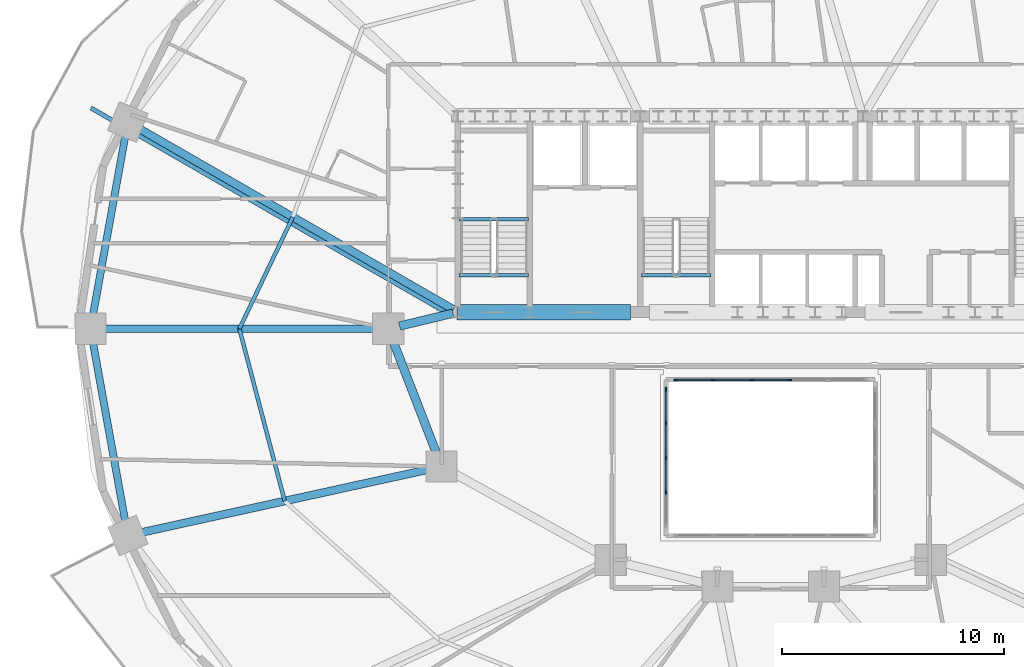
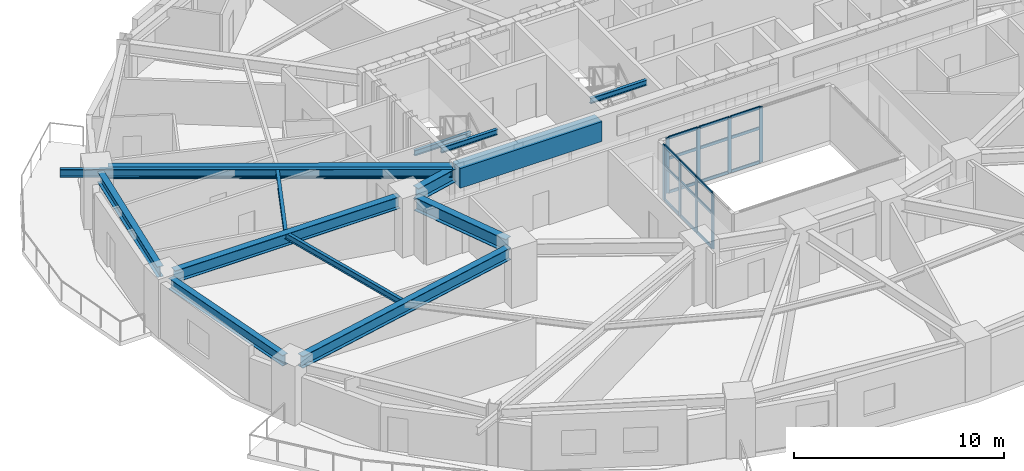
# One storey, part 4 of 17: 26 members, 14 beams, 2 elements without a shape of their own.
"""IFC4 building model written with IfcOpenShell, lengths in metres."""

from ifc_helpers import new_model, si_unit, direction, frame, origin, origin_2d, place, context, subcontext, project, spatial, rectangle, i_section, extrude, material, material_profile, profile_set, type_object, element, aggregate, save


model = new_model("IFC4")

# Units and contexts
model_context = context("Model", 3, precision=1e-05, world=origin(), true_north=direction((0.0, 1.0)))
body_context = subcontext(model_context, "Body", "Model", "MODEL_VIEW")
ifc_project = project(units=[si_unit("LENGTHUNIT", "METRE"), si_unit("AREAUNIT", "SQUARE_METRE"), si_unit("VOLUMEUNIT", "CUBIC_METRE"), si_unit("PLANEANGLEUNIT", "RADIAN"), si_unit("MASSUNIT", "GRAM", prefix="KILO")], contexts=[model_context])

# Site, building, storey
site_placement = place(None, origin())
site = spatial("IfcSite", under=ifc_project, at=site_placement, CompositionType="ELEMENT")
building_placement = place(site_placement, origin())
building = spatial("IfcBuilding", under=site, at=building_placement, Name="Haldorwick Loom Tower", CompositionType="ELEMENT")
storey_placement = place(building_placement, frame((0.0, 0.0, 27.449951171875)))
storey = spatial("IfcBuildingStorey", under=building, at=storey_placement, Name="L06", CompositionType="ELEMENT", Elevation=27.449951171875)

# Curtain wall, members
ifc_material_1 = material(Name="Thermally Broken Anodized Aluminium Curtain Wall Framing", Category="aluminium")
curtain_wall_type = type_object("IfcCurtainWallType", Name="ARC-CW-03", PredefinedType="NOTDEFINED", material=ifc_material_1)
curtain_wall_1_placement = place(storey_placement, origin())
curtain_wall_1 = element("IfcCurtainWall", 1, at=curtain_wall_1_placement, inside=storey, type_object=curtain_wall_type, Name="L06 Atrium Glazed Screen N", PredefinedType="NOTDEFINED")
ifc_material_profile_1 = material_profile(ifc_material_1, rectangle(XDim=0.06591796875, YDim=0.18505859375, at=origin_2d()), Name="ALU_MUL_66X185", Category="aluminium")
ifc_profile_set_1 = profile_set([ifc_material_profile_1], Name="Thermally Broken Anodized Aluminium Curtain Wall Framing")
member_type_1 = type_object("IfcMemberType", Name="ARC-CWM-03", PredefinedType="MULLION", material=ifc_profile_set_1)
member_1_placement = place(storey_placement, frame((31.73291015625, 23.699951171875, 0.0), z_axis=(0.0, 0.0, 1.0), x_axis=(0.0, 1.0, 0.0)))
member_1 = element("IfcMember", 2, at=member_1_placement, type_object=member_type_1, Name="CW-03 mullion 1", PredefinedType="MULLION", context=body_context, shape_type="SweptSolid", body=[
    extrude(rectangle(XDim=0.06591796875, YDim=0.18505859375, at=origin_2d()), origin(), (0.0, 0.0, 1.0), 3.2099609375),
])
member_2_placement = place(storey_placement, frame((33.419921875, 23.699951171875, 0.0), z_axis=(0.0, 0.0, 1.0), x_axis=(0.0, 1.0, 0.0)))
member_2 = element("IfcMember", 3, at=member_2_placement, type_object=member_type_1, Name="CW-03 mullion 2", PredefinedType="MULLION", context=body_context, shape_type="SweptSolid", body=[
    extrude(rectangle(XDim=0.06591796875, YDim=0.18505859375, at=origin_2d()), origin(), (0.0, 0.0, 1.0), 3.2099609375),
])
member_3_placement = place(storey_placement, frame((35.139892578125, 23.699951171875, 0.0), z_axis=(0.0, 0.0, 1.0), x_axis=(0.0, 1.0, 0.0)))
member_3 = element("IfcMember", 4, at=member_3_placement, type_object=member_type_1, Name="CW-03 mullion 3", PredefinedType="MULLION", context=body_context, shape_type="SweptSolid", body=[
    extrude(rectangle(XDim=0.06591796875, YDim=0.18505859375, at=origin_2d()), origin(), (0.0, 0.0, 1.0), 3.2099609375),
])
member_4_placement = place(storey_placement, frame((36.860107421875, 23.699951171875, 0.0), z_axis=(0.0, 0.0, 1.0), x_axis=(0.0, 1.0, 0.0)))
member_4 = element("IfcMember", 5, at=member_4_placement, type_object=member_type_1, Name="CW-03 mullion 4", PredefinedType="MULLION", context=body_context, shape_type="SweptSolid", body=[
    extrude(rectangle(XDim=0.06591796875, YDim=0.18505859375, at=origin_2d()), origin(), (0.0, 0.0, 1.0), 3.2099609375),
])

curtain_wall_2_placement = place(storey_placement, origin())
curtain_wall_2 = element("IfcCurtainWall", 6, at=curtain_wall_2_placement, inside=storey, type_object=curtain_wall_type, Name="L06 Atrium Glazed Screen W", PredefinedType="NOTDEFINED")
member_5_placement = place(storey_placement, frame((31.300048828125, 18.64990234375, 0.0), z_axis=(0.0, 0.0, 1.0), x_axis=(-1.0, 0.0, 0.0)))
member_5 = element("IfcMember", 7, at=member_5_placement, type_object=member_type_1, Name="CW-03 mullion 2", PredefinedType="MULLION", context=body_context, shape_type="SweptSolid", body=[
    extrude(rectangle(XDim=0.06591796875, YDim=0.18505859375, at=origin_2d()), origin(), (0.0, 0.0, 1.0), 3.2099609375),
])
member_6_placement = place(storey_placement, frame((31.300048828125, 20.199951171875, 0.0), z_axis=(0.0, 0.0, 1.0), x_axis=(-1.0, 0.0, 0.0)))
member_6 = element("IfcMember", 8, at=member_6_placement, type_object=member_type_1, Name="CW-03 mullion 3", PredefinedType="MULLION", context=body_context, shape_type="SweptSolid", body=[
    extrude(rectangle(XDim=0.06591796875, YDim=0.18505859375, at=origin_2d()), origin(), (0.0, 0.0, 1.0), 3.2099609375),
])
member_7_placement = place(storey_placement, frame((31.300048828125, 21.75, 0.0), z_axis=(0.0, 0.0, 1.0), x_axis=(-1.0, 0.0, 0.0)))
member_7 = element("IfcMember", 9, at=member_7_placement, type_object=member_type_1, Name="CW-03 mullion 4", PredefinedType="MULLION", context=body_context, shape_type="SweptSolid", body=[
    extrude(rectangle(XDim=0.06591796875, YDim=0.18505859375, at=origin_2d()), origin(), (0.0, 0.0, 1.0), 3.2099609375),
])
member_8_placement = place(storey_placement, frame((31.300048828125, 23.26708984375, 0.0), z_axis=(0.0, 0.0, 1.0), x_axis=(-1.0, 0.0, 0.0)))
member_8 = element("IfcMember", 10, at=member_8_placement, type_object=member_type_1, Name="CW-03 mullion 5", PredefinedType="MULLION", context=body_context, shape_type="SweptSolid", body=[
    extrude(rectangle(XDim=0.06591796875, YDim=0.18505859375, at=origin_2d()), origin(), (0.0, 0.0, 1.0), 3.2099609375),
])

# Member
ifc_material_profile_2 = material_profile(ifc_material_1, rectangle(XDim=0.06591796875, YDim=0.1650390625, at=origin_2d()), Name="ALU_TRN_66X165", Category="aluminium")
ifc_profile_set_2 = profile_set([ifc_material_profile_2], Name="Thermally Broken Anodized Aluminium Curtain Wall Framing")
member_type_2 = type_object("IfcMemberType", Name="ARC-CWT-03", PredefinedType="USERDEFINED", material=ifc_profile_set_2)
member_9_placement = place(storey_placement, frame((31.76611328125, 23.699951171875, 0.032958984375), z_axis=(1.0, 0.0, 0.0), x_axis=(0.0, 1.0, 0.0)))
member_9 = element("IfcMember", 11, at=member_9_placement, type_object=member_type_2, Name="CW-03 transom 1.1", ObjectType="TRANSOM", PredefinedType="USERDEFINED", context=body_context, shape_type="SweptSolid", body=[
    extrude(rectangle(XDim=0.06591796875, YDim=0.1650390625, at=origin_2d()), origin(), (0.0, 0.0, 1.0), 1.620849609375),
])

member_10_placement = place(storey_placement, frame((31.76611328125, 23.699951171875, 2.0), z_axis=(1.0, 0.0, 0.0), x_axis=(0.0, 1.0, 0.0)))
member_10 = element("IfcMember", 12, at=member_10_placement, type_object=member_type_2, Name="CW-03 transom 1.2", ObjectType="TRANSOM", PredefinedType="USERDEFINED", context=body_context, shape_type="SweptSolid", body=[
    extrude(rectangle(XDim=0.06591796875, YDim=0.1650390625, at=origin_2d()), origin(), (0.0, 0.0, 1.0), 1.620849609375),
])

member_11_placement = place(storey_placement, frame((31.76611328125, 23.699951171875, 3.177001953125), z_axis=(1.0, 0.0, 0.0), x_axis=(0.0, 1.0, 0.0)))
member_11 = element("IfcMember", 13, at=member_11_placement, type_object=member_type_2, Name="CW-03 transom 1.3", ObjectType="TRANSOM", PredefinedType="USERDEFINED", context=body_context, shape_type="SweptSolid", body=[
    extrude(rectangle(XDim=0.06591796875, YDim=0.1650390625, at=origin_2d()), origin(), (0.0, 0.0, 1.0), 1.620849609375),
])

member_12_placement = place(storey_placement, frame((33.452880859375, 23.699951171875, 0.032958984375), z_axis=(1.0, 0.0, 0.0), x_axis=(0.0, 1.0, 0.0)))
member_12 = element("IfcMember", 14, at=member_12_placement, type_object=member_type_2, Name="CW-03 transom 2.1", ObjectType="TRANSOM", PredefinedType="USERDEFINED", context=body_context, shape_type="SweptSolid", body=[
    extrude(rectangle(XDim=0.06591796875, YDim=0.1650390625, at=origin_2d()), origin(), (0.0, 0.0, 1.0), 1.654052734375),
])

member_13_placement = place(storey_placement, frame((33.452880859375, 23.699951171875, 2.0), z_axis=(1.0, 0.0, 0.0), x_axis=(0.0, 1.0, 0.0)))
member_13 = element("IfcMember", 15, at=member_13_placement, type_object=member_type_2, Name="CW-03 transom 2.2", ObjectType="TRANSOM", PredefinedType="USERDEFINED", context=body_context, shape_type="SweptSolid", body=[
    extrude(rectangle(XDim=0.06591796875, YDim=0.1650390625, at=origin_2d()), origin(), (0.0, 0.0, 1.0), 1.654052734375),
])

member_14_placement = place(storey_placement, frame((33.452880859375, 23.699951171875, 3.177001953125), z_axis=(1.0, 0.0, 0.0), x_axis=(0.0, 1.0, 0.0)))
member_14 = element("IfcMember", 16, at=member_14_placement, type_object=member_type_2, Name="CW-03 transom 2.3", ObjectType="TRANSOM", PredefinedType="USERDEFINED", context=body_context, shape_type="SweptSolid", body=[
    extrude(rectangle(XDim=0.06591796875, YDim=0.1650390625, at=origin_2d()), origin(), (0.0, 0.0, 1.0), 1.654052734375),
])

member_15_placement = place(storey_placement, frame((35.173095703125, 23.699951171875, 0.032958984375), z_axis=(1.0, 0.0, 0.0), x_axis=(0.0, 1.0, 0.0)))
member_15 = element("IfcMember", 17, at=member_15_placement, type_object=member_type_2, Name="CW-03 transom 3.1", ObjectType="TRANSOM", PredefinedType="USERDEFINED", context=body_context, shape_type="SweptSolid", body=[
    extrude(rectangle(XDim=0.06591796875, YDim=0.1650390625, at=origin_2d()), origin(), (0.0, 0.0, 1.0), 1.65380859375),
])

member_16_placement = place(storey_placement, frame((35.173095703125, 23.699951171875, 2.0), z_axis=(1.0, 0.0, 0.0), x_axis=(0.0, 1.0, 0.0)))
member_16 = element("IfcMember", 18, at=member_16_placement, type_object=member_type_2, Name="CW-03 transom 3.2", ObjectType="TRANSOM", PredefinedType="USERDEFINED", context=body_context, shape_type="SweptSolid", body=[
    extrude(rectangle(XDim=0.06591796875, YDim=0.1650390625, at=origin_2d()), origin(), (0.0, 0.0, 1.0), 1.65380859375),
])

member_17_placement = place(storey_placement, frame((35.173095703125, 23.699951171875, 3.177001953125), z_axis=(1.0, 0.0, 0.0), x_axis=(0.0, 1.0, 0.0)))
member_17 = element("IfcMember", 19, at=member_17_placement, type_object=member_type_2, Name="CW-03 transom 3.3", ObjectType="TRANSOM", PredefinedType="USERDEFINED", context=body_context, shape_type="SweptSolid", body=[
    extrude(rectangle(XDim=0.06591796875, YDim=0.1650390625, at=origin_2d()), origin(), (0.0, 0.0, 1.0), 1.65380859375),
])

aggregate(curtain_wall_1, [member_1, member_2, member_3, member_4, member_9, member_10, member_11, member_12, member_13, member_14, member_15, member_16, member_17])

member_18_placement = place(storey_placement, frame((31.300048828125, 18.68310546875, 0.032958984375), z_axis=(0.0, 1.0, 0.0), x_axis=(-1.0, 0.0, 0.0)))
member_18 = element("IfcMember", 20, at=member_18_placement, type_object=member_type_2, Name="CW-03 transom 2.1", ObjectType="TRANSOM", PredefinedType="USERDEFINED", context=body_context, shape_type="SweptSolid", body=[
    extrude(rectangle(XDim=0.06591796875, YDim=0.1650390625, at=origin_2d()), origin(), (0.0, 0.0, 1.0), 1.48388671875),
])

member_19_placement = place(storey_placement, frame((31.300048828125, 18.68310546875, 2.0), z_axis=(0.0, 1.0, 0.0), x_axis=(-1.0, 0.0, 0.0)))
member_19 = element("IfcMember", 21, at=member_19_placement, type_object=member_type_2, Name="CW-03 transom 2.2", ObjectType="TRANSOM", PredefinedType="USERDEFINED", context=body_context, shape_type="SweptSolid", body=[
    extrude(rectangle(XDim=0.06591796875, YDim=0.1650390625, at=origin_2d()), origin(), (0.0, 0.0, 1.0), 1.48388671875),
])

member_20_placement = place(storey_placement, frame((31.300048828125, 18.68310546875, 3.177001953125), z_axis=(0.0, 1.0, 0.0), x_axis=(-1.0, 0.0, 0.0)))
member_20 = element("IfcMember", 22, at=member_20_placement, type_object=member_type_2, Name="CW-03 transom 2.3", ObjectType="TRANSOM", PredefinedType="USERDEFINED", context=body_context, shape_type="SweptSolid", body=[
    extrude(rectangle(XDim=0.06591796875, YDim=0.1650390625, at=origin_2d()), origin(), (0.0, 0.0, 1.0), 1.48388671875),
])

member_21_placement = place(storey_placement, frame((31.300048828125, 20.23291015625, 0.032958984375), z_axis=(0.0, 1.0, 0.0), x_axis=(-1.0, 0.0, 0.0)))
member_21 = element("IfcMember", 23, at=member_21_placement, type_object=member_type_2, Name="CW-03 transom 3.1", ObjectType="TRANSOM", PredefinedType="USERDEFINED", context=body_context, shape_type="SweptSolid", body=[
    extrude(rectangle(XDim=0.06591796875, YDim=0.1650390625, at=origin_2d()), origin(), (0.0, 0.0, 1.0), 1.484130859375),
])

member_22_placement = place(storey_placement, frame((31.300048828125, 20.23291015625, 2.0), z_axis=(0.0, 1.0, 0.0), x_axis=(-1.0, 0.0, 0.0)))
member_22 = element("IfcMember", 24, at=member_22_placement, type_object=member_type_2, Name="CW-03 transom 3.2", ObjectType="TRANSOM", PredefinedType="USERDEFINED", context=body_context, shape_type="SweptSolid", body=[
    extrude(rectangle(XDim=0.06591796875, YDim=0.1650390625, at=origin_2d()), origin(), (0.0, 0.0, 1.0), 1.484130859375),
])

member_23_placement = place(storey_placement, frame((31.300048828125, 20.23291015625, 3.177001953125), z_axis=(0.0, 1.0, 0.0), x_axis=(-1.0, 0.0, 0.0)))
member_23 = element("IfcMember", 25, at=member_23_placement, type_object=member_type_2, Name="CW-03 transom 3.3", ObjectType="TRANSOM", PredefinedType="USERDEFINED", context=body_context, shape_type="SweptSolid", body=[
    extrude(rectangle(XDim=0.06591796875, YDim=0.1650390625, at=origin_2d()), origin(), (0.0, 0.0, 1.0), 1.484130859375),
])

member_24_placement = place(storey_placement, frame((31.300048828125, 21.782958984375, 0.032958984375), z_axis=(0.0, 1.0, 0.0), x_axis=(-1.0, 0.0, 0.0)))
member_24 = element("IfcMember", 26, at=member_24_placement, type_object=member_type_2, Name="CW-03 transom 4.1", ObjectType="TRANSOM", PredefinedType="USERDEFINED", context=body_context, shape_type="SweptSolid", body=[
    extrude(rectangle(XDim=0.06591796875, YDim=0.1650390625, at=origin_2d()), origin(), (0.0, 0.0, 1.0), 1.450927734375),
])

member_25_placement = place(storey_placement, frame((31.300048828125, 21.782958984375, 2.0), z_axis=(0.0, 1.0, 0.0), x_axis=(-1.0, 0.0, 0.0)))
member_25 = element("IfcMember", 27, at=member_25_placement, type_object=member_type_2, Name="CW-03 transom 4.2", ObjectType="TRANSOM", PredefinedType="USERDEFINED", context=body_context, shape_type="SweptSolid", body=[
    extrude(rectangle(XDim=0.06591796875, YDim=0.1650390625, at=origin_2d()), origin(), (0.0, 0.0, 1.0), 1.450927734375),
])

member_26_placement = place(storey_placement, frame((31.300048828125, 21.782958984375, 3.177001953125), z_axis=(0.0, 1.0, 0.0), x_axis=(-1.0, 0.0, 0.0)))
member_26 = element("IfcMember", 28, at=member_26_placement, type_object=member_type_2, Name="CW-03 transom 4.3", ObjectType="TRANSOM", PredefinedType="USERDEFINED", context=body_context, shape_type="SweptSolid", body=[
    extrude(rectangle(XDim=0.06591796875, YDim=0.1650390625, at=origin_2d()), origin(), (0.0, 0.0, 1.0), 1.450927734375),
])

aggregate(curtain_wall_2, [member_5, member_6, member_7, member_8, member_18, member_19, member_20, member_21, member_22, member_23, member_24, member_25, member_26])

# Beams
ifc_material_2 = material(Name="Steel CSA G40.21 350W", Category="steel")
ifc_material_profile_3 = material_profile(ifc_material_2, i_section(OverallWidth=0.193115234375, OverallDepth=0.466064453125, WebThickness=0.011474609375, FlangeThickness=0.01904296875, at=origin_2d()), Name="W460X97", Category="steel")
ifc_profile_set_3 = profile_set([ifc_material_profile_3], Name="Steel CSA G40.21 350W")
beam_type_1 = type_object("IfcBeamType", Name="STR-BM-BAL460", PredefinedType="BEAM", material=ifc_profile_set_3)
beam_1_placement = place(storey_placement, frame((21.59521484375, 26.61962890625, 2.97705078125), z_axis=(-0.866607024941, 0.49899124674, 0.0), x_axis=(-0.49899124674, -0.866607024941, 0.0)))
element("IfcBeam", 29, at=beam_1_placement, inside=storey, type_object=beam_type_1, Name="L06 Continuous Back-Spanned Balcony Beam 3", PredefinedType="BEAM", context=body_context, shape_type="SweptSolid", body=[
    extrude(i_section(OverallWidth=0.193115234375, OverallDepth=0.466064453125, WebThickness=0.011474609375, FlangeThickness=0.01904296875, at=origin_2d()), origin(), (0.0, 0.0, 1.0), 18.65771484375),
])
ifc_material_3 = material(Name="Concrete C60 (60 MPa)", Category="concrete")
ifc_material_profile_4 = material_profile(ifc_material_3, rectangle(XDim=0.699951171875, YDim=1.14990234375, at=origin_2d()), Name="RC700X1150", Category="concrete")
ifc_profile_set_4 = profile_set([ifc_material_profile_4], Name="Concrete C60 (60 MPa)")
beam_type_2 = type_object("IfcBeamType", Name="STR-BM-CB1150", PredefinedType="LINTEL", material=ifc_profile_set_4)
beam_2_placement = place(storey_placement, frame((21.89990234375, 26.75, 2.635009765625), z_axis=(1.0, 0.0, 0.0), x_axis=(0.0, 1.0, 0.0)))
element("IfcBeam", 30, at=beam_2_placement, inside=storey, type_object=beam_type_2, Name="L06 Core Coupling Beam CB-S1", PredefinedType="LINTEL", context=body_context, shape_type="SweptSolid", body=[
    extrude(rectangle(XDim=0.699951171875, YDim=1.14990234375, at=origin_2d()), origin(), (0.0, 0.0, 1.0), 7.800048828125),
])
ifc_material_profile_5 = material_profile(ifc_material_2, i_section(OverallWidth=0.172119140625, OverallDepth=0.35791015625, WebThickness=0.0078125, FlangeThickness=0.01318359375, at=origin_2d()), Name="W360X57", Category="steel")
ifc_profile_set_5 = profile_set([ifc_material_profile_5], Name="Steel CSA G40.21 350W")
beam_type_3 = type_object("IfcBeamType", Name="STR-BM-J360", PredefinedType="JOIST", material=ifc_profile_set_5)
beam_3_placement = place(storey_placement, frame((14.50634765625, 31.024658203125, 3.031005859375), z_axis=(-0.431630738849, -0.902050389546, 0.0), x_axis=(0.902050389546, -0.431630738849, 0.0)))
element("IfcBeam", 31, at=beam_3_placement, inside=storey, type_object=beam_type_3, Name="L06 Mid-Bay Secondary Joist 8", PredefinedType="JOIST", context=body_context, shape_type="SweptSolid", body=[
    extrude(i_section(OverallWidth=0.172119140625, OverallDepth=0.35791015625, WebThickness=0.0078125, FlangeThickness=0.01318359375, at=origin_2d()), origin(), (0.0, 0.0, 1.0), 5.5703125),
])
beam_4_placement = place(storey_placement, frame((12.10205078125, 26.0, 3.031005859375), z_axis=(0.2544888003, -0.967075721193, 0.0), x_axis=(0.967075721193, 0.2544888003, 0.0)))
element("IfcBeam", 32, at=beam_4_placement, inside=storey, type_object=beam_type_3, Name="L06 Mid-Bay Secondary Joist 9", PredefinedType="JOIST", context=body_context, shape_type="SweptSolid", body=[
    extrude(i_section(OverallWidth=0.172119140625, OverallDepth=0.35791015625, WebThickness=0.0078125, FlangeThickness=0.01318359375, at=origin_2d()), origin(), (0.0, 0.0, 1.0), 8.013427734375),
])
ifc_material_profile_6 = material_profile(ifc_material_2, i_section(OverallWidth=0.324951171875, OverallDepth=0.615966796875, WebThickness=0.013916015625, FlangeThickness=0.021484375, at=origin_2d()), Name="W610X174", Category="steel")
ifc_profile_set_6 = profile_set([ifc_material_profile_6], Name="Steel CSA G40.21 350W")
beam_type_4 = type_object("IfcBeamType", Name="STR-BM-SP610", PredefinedType="SPANDREL", material=ifc_profile_set_6)
for number, where, z_axis, x_axis, name in (
    (33, (6.990234375, 34.78759765625, 2.902099609375), (-0.177641139482, -0.984095333575, 0.0), (0.984095333575, -0.177641139482, 0.0), "L06 Perimeter Spandrel 8"),
    (34, (5.496337890625, 25.48828125, 2.902099609375), (0.177641139482, -0.984095333575, 0.0), (0.984095333575, 0.177641139482, 0.0), "L06 Perimeter Spandrel 9"),
):
    element("IfcBeam", number, at=place(storey_placement, frame(where, z_axis=z_axis, x_axis=x_axis)), inside=storey, type_object=beam_type_4, Name=name, PredefinedType="SPANDREL", context=body_context, shape_type="SweptSolid", body=[
        extrude(i_section(OverallWidth=0.324951171875, OverallDepth=0.615966796875, WebThickness=0.013916015625, FlangeThickness=0.021484375, at=origin_2d()), origin(), (0.0, 0.0, 1.0), 8.40966796875),
    ])
ifc_material_profile_7 = material_profile(ifc_material_2, i_section(OverallWidth=0.166015625, OverallDepth=0.31298828125, WebThickness=0.006591796875, FlangeThickness=0.01123046875, at=origin_2d()), Name="W310X45", Category="steel")
ifc_profile_set_7 = profile_set([ifc_material_profile_7], Name="Steel CSA G40.21 350W")
beam_type_5 = type_object("IfcBeamType", Name="STR-BM-STRM", PredefinedType="BEAM", material=ifc_profile_set_7)
for number, where, z_axis, x_axis, name in (
    (35, (21.989990234375, 28.39990234375, 3.053466796875), (1.0, 0.0, 0.0), (0.0, 1.0, 0.0), "L06 Stair ST-01 Landing Edge Trimmer"),
    (36, (21.989990234375, 30.919921875, 1.36865234375), (1.0, 0.0, 0.0), (0.0, 1.0, 0.0), "L06 Stair ST-01 Half-Landing Trimmer 1"),
    (37, (30.18994140625, 28.39990234375, 3.053466796875), (1.0, 0.0, 0.0), (0.0, 1.0, 0.0), "L06 Stair ST-03 Landing Edge Trimmer"),
):
    element("IfcBeam", number, at=place(storey_placement, frame(where, z_axis=z_axis, x_axis=x_axis)), inside=storey, type_object=beam_type_5, Name=name, PredefinedType="BEAM", context=body_context, shape_type="SweptSolid", body=[
        extrude(i_section(OverallWidth=0.166015625, OverallDepth=0.31298828125, WebThickness=0.006591796875, FlangeThickness=0.01123046875, at=origin_2d()), origin(), (0.0, 0.0, 1.0), 3.1201171875),
    ])
ifc_material_profile_8 = material_profile(ifc_material_2, i_section(OverallWidth=0.35498046875, OverallDepth=0.695068359375, WebThickness=0.015380859375, FlangeThickness=0.02490234375, at=origin_2d()), Name="W690X217", Category="steel")
ifc_profile_set_8 = profile_set([ifc_material_profile_8], Name="Steel CSA G40.21 350W")
beam_type_6 = type_object("IfcBeamType", Name="STR-BM-W690", PredefinedType="BEAM", material=ifc_profile_set_8)
beam_5_placement = place(storey_placement, frame((21.735107421875, 26.8623046875, 2.862548828125), z_axis=(-0.86660566838, 0.498993602696, 0.0), x_axis=(-0.498993602696, -0.86660566838, 0.0)))
element("IfcBeam", 38, at=beam_5_placement, inside=storey, type_object=beam_type_6, Name="L06 Radial Floor Girder 8", PredefinedType="BEAM", context=body_context, shape_type="SweptSolid", body=[
    extrude(i_section(OverallWidth=0.35498046875, OverallDepth=0.695068359375, WebThickness=0.015380859375, FlangeThickness=0.02490234375, at=origin_2d()), origin(), (0.0, 0.0, 1.0), 16.387939453125),
])
beam_6_placement = place(storey_placement, frame((18.280029296875, 26.0, 2.862548828125), z_axis=(-1.0, 0.0, 0.0), x_axis=(0.0, -1.0, 0.0)))
element("IfcBeam", 39, at=beam_6_placement, inside=storey, type_object=beam_type_6, Name="L06 Radial Floor Girder 9", PredefinedType="BEAM", context=body_context, shape_type="SweptSolid", body=[
    extrude(i_section(OverallWidth=0.35498046875, OverallDepth=0.695068359375, WebThickness=0.015380859375, FlangeThickness=0.02490234375, at=origin_2d()), origin(), (0.0, 0.0, 1.0), 12.35595703125),
])
beam_7_placement = place(storey_placement, frame((20.692138671875, 19.6884765625, 2.862548828125), z_axis=(-0.976740159434, -0.214426353203, 0.0), x_axis=(0.214426353203, -0.976740159434, 0.0)))
element("IfcBeam", 40, at=beam_7_placement, inside=storey, type_object=beam_type_6, Name="L06 Radial Floor Girder 10", PredefinedType="BEAM", context=body_context, shape_type="SweptSolid", body=[
    extrude(i_section(OverallWidth=0.35498046875, OverallDepth=0.695068359375, WebThickness=0.015380859375, FlangeThickness=0.02490234375, at=origin_2d()), origin(), (0.0, 0.0, 1.0), 13.41357421875),
])
ifc_material_profile_9 = material_profile(ifc_material_2, i_section(OverallWidth=0.381103515625, OverallDepth=0.77294921875, WebThickness=0.0166015625, FlangeThickness=0.027587890625, at=origin_2d()), Name="W760X257", Category="steel")
ifc_profile_set_9 = profile_set([ifc_material_profile_9], Name="Steel CSA G40.21 350W")
beam_type_7 = type_object("IfcBeamType", Name="STR-BM-W760", PredefinedType="BEAM", material=ifc_profile_set_9)
beam_8_placement = place(storey_placement, frame((21.01220703125, 20.284912109375, 2.823486328125), z_axis=(-0.360964792353, 0.93257944363, 0.0), x_axis=(-0.93257944363, -0.360964792353, 0.0)))
element("IfcBeam", 41, at=beam_8_placement, inside=storey, type_object=beam_type_7, Name="L06 Inner Ring Girder 8", PredefinedType="BEAM", context=body_context, shape_type="SweptSolid", body=[
    extrude(i_section(OverallWidth=0.381103515625, OverallDepth=0.77294921875, WebThickness=0.0166015625, FlangeThickness=0.027587890625, at=origin_2d()), origin(), (0.0, 0.0, 1.0), 5.6083984375),
])
beam_9_placement = place(storey_placement, frame((19.3056640625, 26.12109375, 2.823486328125), z_axis=(0.97247055837, 0.233025777764, 0.0), x_axis=(-0.233025777764, 0.97247055837, 0.0)))
element("IfcBeam", 42, at=beam_9_placement, inside=storey, type_object=beam_type_7, Name="L06 Inner Ring Girder 9", PredefinedType="BEAM", context=body_context, shape_type="SweptSolid", body=[
    extrude(i_section(OverallWidth=0.381103515625, OverallDepth=0.77294921875, WebThickness=0.0166015625, FlangeThickness=0.027587890625, at=origin_2d()), origin(), (0.0, 0.0, 1.0), 2.4736328125),
])

save(model, "model.ifc")
